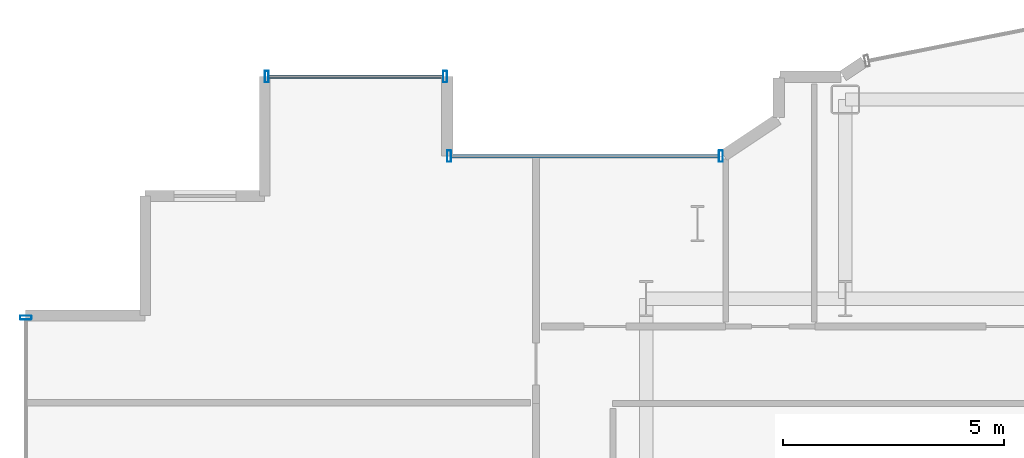
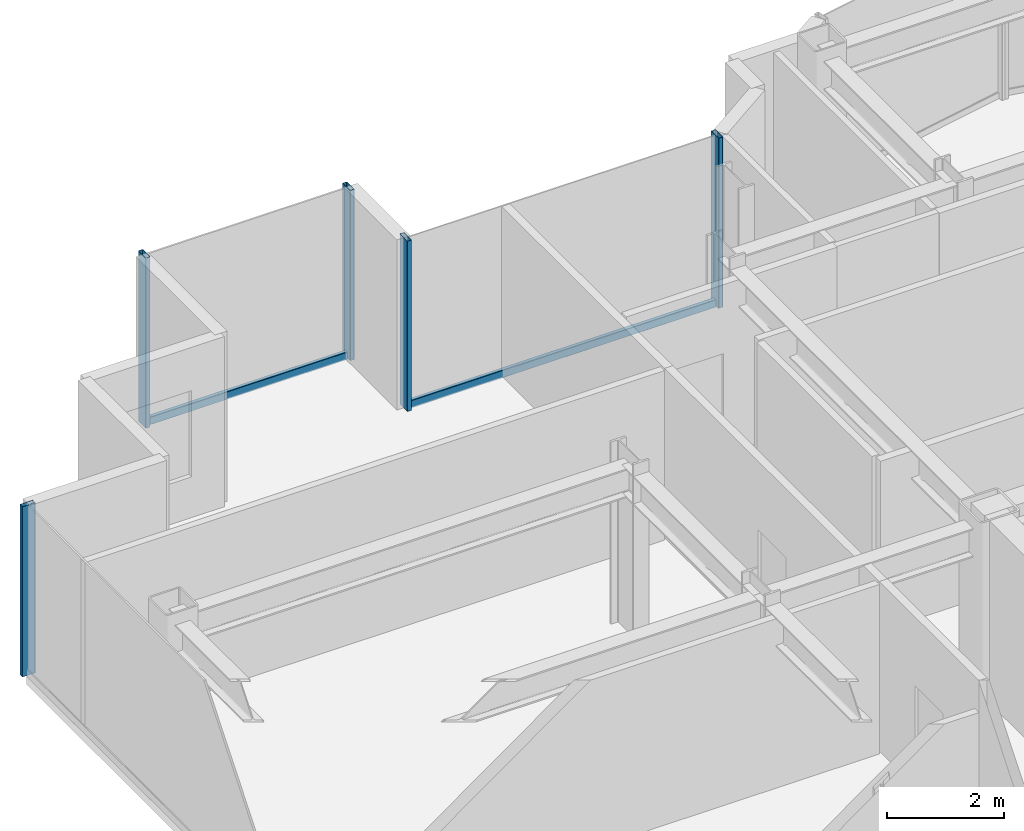
# One storey, part 8 of 20: 7 members, 3 elements without a shape of their own.
"""IFC4 building model written with IfcOpenShell, lengths in metres."""

from ifc_helpers import new_model, si_unit, direction, frame, origin, origin_2d, place, context, subcontext, project, spatial, hollow_rectangle, extrude, source, transform, mapped, material, layer, layer_set, material_profile, profile_set, type_object, element, aggregate, save


model = new_model("IFC4")

# Units and contexts
model_context = context("Model", 3, precision=1e-05, world=origin(), true_north=direction((0.0, 1.0)))
body_context = subcontext(model_context, "Body", "Model", "MODEL_VIEW")
ifc_project = project(units=[si_unit("LENGTHUNIT", "METRE"), si_unit("AREAUNIT", "SQUARE_METRE"), si_unit("VOLUMEUNIT", "CUBIC_METRE"), si_unit("PLANEANGLEUNIT", "RADIAN"), si_unit("MASSUNIT", "GRAM", prefix="KILO")], contexts=[model_context])

# Site, building, storey
site_placement = place(None, origin())
site = spatial("IfcSite", under=ifc_project, at=site_placement, CompositionType="ELEMENT")
building_placement = place(site_placement, origin())
building = spatial("IfcBuilding", under=site, at=building_placement, Name="Nefas-Gora Pilgrimage Tower", CompositionType="ELEMENT")
storey_placement = place(building_placement, frame((0.0, 0.0, 214.199951171875)))
storey = spatial("IfcBuildingStorey", under=building, at=storey_placement, Name="L53", CompositionType="ELEMENT", Elevation=214.199951171875)

# Curtain wall, members
ifc_material_1 = material(Name="Dark ceramic-fritted solar-control aluminium-glass curtain wall", Category="aluminium")
ifc_layer_1 = layer(ifc_material_1, 0.219970703125)
ifc_layer_set_1 = layer_set([ifc_layer_1], Name="Dark ceramic-fritted solar-control aluminium-glass curtain wall")
curtain_wall_type_1 = type_object("IfcCurtainWallType", Name="CW-SYS-5", PredefinedType="NOTDEFINED", material=ifc_layer_set_1)
curtain_wall_1_placement = place(storey_placement, origin())
curtain_wall_1 = element("IfcCurtainWall", 1, at=curtain_wall_1_placement, inside=storey, type_object=curtain_wall_type_1, Name="L53 Unitised Curtain Wall CW5", PredefinedType="NOTDEFINED")
ifc_material_2 = material(Name="Anodised architectural aluminium", Category="aluminium")
ifc_material_profile_1 = material_profile(ifc_material_2, hollow_rectangle(XDim=0.090087890625, YDim=0.260009765625, WallThickness=0.006103515625, InnerFilletRadius=0.006103515625, OuterFilletRadius=0.011962890625, at=origin_2d()), Name="ALU MULLION 90x260")
ifc_profile_set_1 = profile_set([ifc_material_profile_1], Name="Anodised architectural aluminium")
member_type_1 = type_object("IfcMemberType", Name="CWM-MUL-5", PredefinedType="MULLION", material=ifc_profile_set_1)
shared_shape_1 = source(origin(), body_context, "Body", "SweptSolid", [
    extrude(hollow_rectangle(XDim=0.090087890625, YDim=0.260009765625, WallThickness=0.006103515625, InnerFilletRadius=0.006103515625, OuterFilletRadius=0.011962890625, at=origin_2d()), origin(), (0.0, 0.0, 1.0), 3.550048828125),
])
member_1_placement = place(storey_placement, frame((-9.56298828125, 21.219970703125, 0.0), z_axis=(0.0, 0.0, 1.0), x_axis=(-1.0, 0.0, 0.0)))
member_1 = element("IfcMember", 2, at=member_1_placement, type_object=member_type_1, Name="CW5 Mullion 1", PredefinedType="MULLION", context=body_context, shape_type="MappedRepresentation", body=[
    mapped(shared_shape_1, transform((0.0, 0.0, 0.0), x_axis=(1.0, 0.0, 0.0), y_axis=(0.0, 1.0, 0.0), z_axis=(0.0, 0.0, 1.0), scale=1.0)),
])
member_2_placement = place(storey_placement, frame((-15.705078125, 21.219970703125, 0.0), z_axis=(0.0, 0.0, 1.0), x_axis=(-1.0, 0.0, 0.0)))
member_2 = element("IfcMember", 3, at=member_2_placement, type_object=member_type_1, Name="CW5 Mullion 2", PredefinedType="MULLION", context=body_context, shape_type="MappedRepresentation", body=[
    mapped(shared_shape_1, transform((0.0, 0.0, 0.0), x_axis=(1.0, 0.0, 0.0), y_axis=(0.0, 1.0, 0.0), z_axis=(0.0, 0.0, 1.0), scale=1.0)),
])
ifc_material_profile_2 = material_profile(ifc_material_2, hollow_rectangle(XDim=0.080078125, YDim=0.159912109375, WallThickness=0.00439453125, InnerFilletRadius=0.00439453125, OuterFilletRadius=0.009033203125, at=origin_2d()), Name="ALU TRANSOM 80x160")
ifc_profile_set_2 = profile_set([ifc_material_profile_2], Name="Anodised architectural aluminium")
member_type_2 = type_object("IfcMemberType", Name="CWM-TRN-5", PredefinedType="USERDEFINED", material=ifc_profile_set_2)
shared_shape_2 = source(origin(), body_context, "Body", "SweptSolid", [
    extrude(hollow_rectangle(XDim=0.080078125, YDim=0.159912109375, WallThickness=0.00439453125, InnerFilletRadius=0.00439453125, OuterFilletRadius=0.009033203125, at=origin_2d()), origin(), (0.0, 0.0, 1.0), 6.052001953125),
])
member_3_placement = place(storey_placement, frame((-9.60791015625, 21.219970703125, 0.050048828125), z_axis=(-1.0, 0.0, 0.0), x_axis=(0.0, -1.0, 0.0)))
member_3 = element("IfcMember", 4, at=member_3_placement, type_object=member_type_2, Name="CW5 Spandrel Transom", ObjectType="TRANSOM", PredefinedType="USERDEFINED", context=body_context, shape_type="MappedRepresentation", body=[
    mapped(shared_shape_2, transform((0.0, 0.0, 0.0), x_axis=(1.0, 0.0, 0.0), y_axis=(0.0, 1.0, 0.0), z_axis=(0.0, 0.0, 1.0), scale=1.0)),
])
aggregate(curtain_wall_1, [member_1, member_2, member_3])

ifc_layer_2 = layer(ifc_material_1, 0.219970703125)
ifc_layer_set_2 = layer_set([ifc_layer_2], Name="Dark ceramic-fritted solar-control aluminium-glass curtain wall")
curtain_wall_type_2 = type_object("IfcCurtainWallType", Name="CW-SYS-3", PredefinedType="NOTDEFINED", material=ifc_layer_set_2)
curtain_wall_2_placement = place(storey_placement, origin())
curtain_wall_2 = element("IfcCurtainWall", 5, at=curtain_wall_2_placement, inside=storey, type_object=curtain_wall_type_2, Name="L53 Unitised Curtain Wall CW3", PredefinedType="NOTDEFINED")
ifc_material_profile_3 = material_profile(ifc_material_2, hollow_rectangle(XDim=0.090087890625, YDim=0.260009765625, WallThickness=0.006103515625, InnerFilletRadius=0.006103515625, OuterFilletRadius=0.011962890625, at=origin_2d()), Name="ALU MULLION 90x260")
ifc_profile_set_3 = profile_set([ifc_material_profile_3], Name="Anodised architectural aluminium")
member_type_3 = type_object("IfcMemberType", Name="CWM-MUL-3", PredefinedType="MULLION", material=ifc_profile_set_3)
shared_shape_3 = source(origin(), body_context, "Body", "SweptSolid", [
    extrude(hollow_rectangle(XDim=0.090087890625, YDim=0.260009765625, WallThickness=0.006103515625, InnerFilletRadius=0.006103515625, OuterFilletRadius=0.011962890625, at=origin_2d()), origin(), (0.0, 0.0, 1.0), 3.550048828125),
])
member_4_placement = place(storey_placement, frame((-15.794921875, 23.02001953125, 0.0), z_axis=(0.0, 0.0, 1.0), x_axis=(-1.0, 0.0, 0.0)))
member_4 = element("IfcMember", 6, at=member_4_placement, type_object=member_type_3, Name="CW3 Mullion 1", PredefinedType="MULLION", context=body_context, shape_type="MappedRepresentation", body=[
    mapped(shared_shape_3, transform((0.0, 0.0, 0.0), x_axis=(1.0, 0.0, 0.0), y_axis=(0.0, 1.0, 0.0), z_axis=(0.0, 0.0, 1.0), scale=1.0)),
])
member_5_placement = place(storey_placement, frame((-19.824951171875, 23.02001953125, 0.0), z_axis=(0.0, 0.0, 1.0), x_axis=(-1.0, 0.0, 0.0)))
member_5 = element("IfcMember", 7, at=member_5_placement, type_object=member_type_3, Name="CW3 Mullion 2", PredefinedType="MULLION", context=body_context, shape_type="MappedRepresentation", body=[
    mapped(shared_shape_3, transform((0.0, 0.0, 0.0), x_axis=(1.0, 0.0, 0.0), y_axis=(0.0, 1.0, 0.0), z_axis=(0.0, 0.0, 1.0), scale=1.0)),
])

# Curtain wall, member
curtain_wall_3_placement = place(storey_placement, origin())
curtain_wall_3 = element("IfcCurtainWall", 8, at=curtain_wall_3_placement, inside=storey, type_object=curtain_wall_type_2, Name="L53 Unitised Curtain Wall CW3", PredefinedType="NOTDEFINED")
member_6_placement = place(storey_placement, frame((-25.27001953125, 17.574951171875, 0.0), z_axis=(0.0, 0.0, 1.0), x_axis=(0.0, -1.0, 0.0)))
member_6 = element("IfcMember", 9, at=member_6_placement, type_object=member_type_3, Name="CW3 Mullion 1", PredefinedType="MULLION", context=body_context, shape_type="MappedRepresentation", body=[
    mapped(shared_shape_3, transform((0.0, 0.0, 0.0), x_axis=(1.0, 0.0, 0.0), y_axis=(0.0, 1.0, 0.0), z_axis=(0.0, 0.0, 1.0), scale=1.0)),
])
aggregate(curtain_wall_3, [member_6])

# Member
ifc_material_profile_4 = material_profile(ifc_material_2, hollow_rectangle(XDim=0.080078125, YDim=0.159912109375, WallThickness=0.00439453125, InnerFilletRadius=0.00439453125, OuterFilletRadius=0.009033203125, at=origin_2d()), Name="ALU TRANSOM 80x160")
ifc_profile_set_4 = profile_set([ifc_material_profile_4], Name="Anodised architectural aluminium")
member_type_4 = type_object("IfcMemberType", Name="CWM-TRN-3", PredefinedType="USERDEFINED", material=ifc_profile_set_4)
shared_shape_4 = source(origin(), body_context, "Body", "SweptSolid", [
    extrude(hollow_rectangle(XDim=0.080078125, YDim=0.159912109375, WallThickness=0.00439453125, InnerFilletRadius=0.00439453125, OuterFilletRadius=0.009033203125, at=origin_2d()), origin(), (0.0, 0.0, 1.0), 3.93994140625),
])
member_7_placement = place(storey_placement, frame((-15.840087890625, 23.02001953125, 0.050048828125), z_axis=(-1.0, 0.0, 0.0), x_axis=(0.0, -1.0, 0.0)))
member_7 = element("IfcMember", 10, at=member_7_placement, type_object=member_type_4, Name="CW3 Spandrel Transom", ObjectType="TRANSOM", PredefinedType="USERDEFINED", context=body_context, shape_type="MappedRepresentation", body=[
    mapped(shared_shape_4, transform((0.0, 0.0, 0.0), x_axis=(1.0, 0.0, 0.0), y_axis=(0.0, 1.0, 0.0), z_axis=(0.0, 0.0, 1.0), scale=1.0)),
])

aggregate(curtain_wall_2, [member_4, member_5, member_7])

save(model, "model.ifc")
